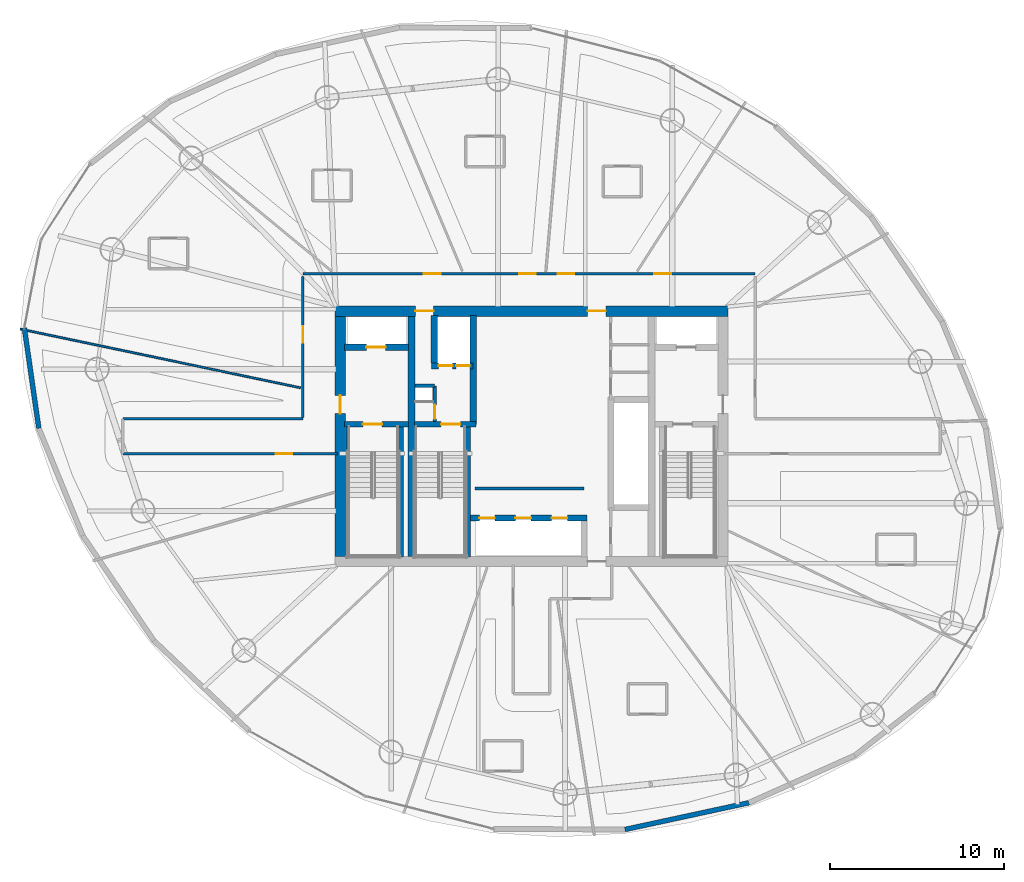
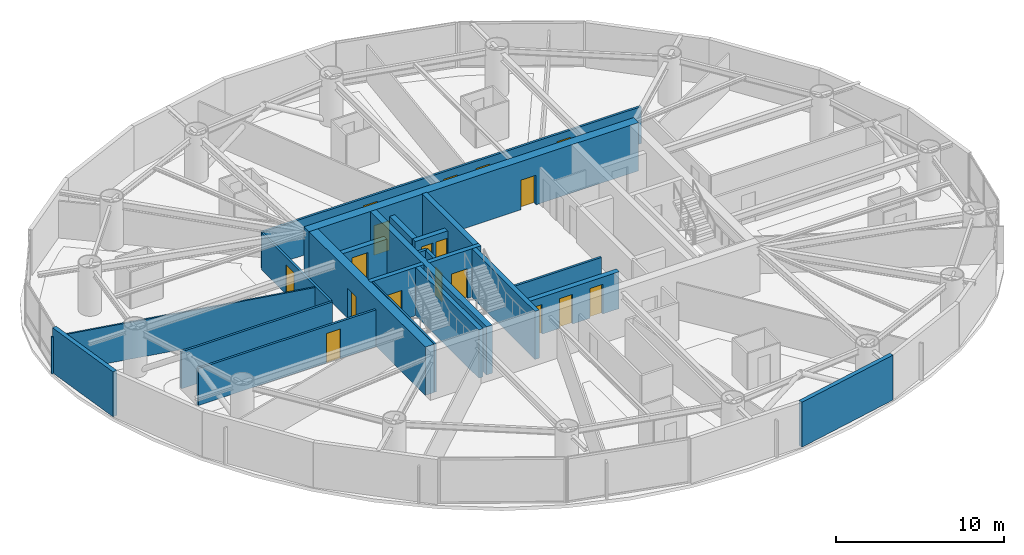
# One storey, part 16 of 22: 23 walls, 18 doors, 18 openings.
"""IFC4 building model written with IfcOpenShell, lengths in metres."""

from ifc_helpers import new_model, si_unit, direction, frame, frame_2d, origin, place, context, subcontext, project, spatial, rectangle, extrude, material, layer, layer_set, type_object, element, fill, save


model = new_model("IFC4")

# Units and contexts
model_context = context("Model", 3, precision=1e-05, world=origin(), true_north=direction((0.0, 1.0)))
body_context = subcontext(model_context, "Body", "Model", "MODEL_VIEW")
ifc_project = project(units=[si_unit("LENGTHUNIT", "METRE"), si_unit("AREAUNIT", "SQUARE_METRE"), si_unit("VOLUMEUNIT", "CUBIC_METRE"), si_unit("PLANEANGLEUNIT", "RADIAN"), si_unit("MASSUNIT", "GRAM", prefix="KILO")], contexts=[model_context])

# Site, building, storey
site_placement = place(None, origin())
site = spatial("IfcSite", under=ifc_project, at=site_placement, CompositionType="ELEMENT")
building_placement = place(site_placement, origin())
building = spatial("IfcBuilding", under=site, at=building_placement, Name="Bramvorn Convention Spire", CompositionType="ELEMENT")
storey_placement = place(building_placement, frame((0.0, 0.0, 120.300048828125)))
storey = spatial("IfcBuildingStorey", under=building, at=storey_placement, Name="L29", CompositionType="ELEMENT", Elevation=120.300048828125)

# Wall, openings, doors
ifc_material_1 = material(Name="Concrete C60/70", Category="concrete")
ifc_layer_1 = layer(ifc_material_1, 0.60009765625)
ifc_layer_set_1 = layer_set([ifc_layer_1], Name="Concrete C60/70 - WL-CORE-600")
wall_type_1 = type_object("IfcWallType", Name="WL-CORE-600", PredefinedType="SHEAR", material=ifc_layer_set_1)
wall_1_placement = place(storey_placement, frame((26.699951171875, 33.199951171875, 0.0), z_axis=(0.0, 0.0, 1.0), x_axis=(1.0, 0.0, 0.0)))
wall_1 = element("IfcWall", 1, at=wall_1_placement, inside=storey, type_object=wall_type_1, Name="L29 North RC core shear wall", PredefinedType="SHEAR", context=body_context, shape_type="SweptSolid", body=[
    extrude(rectangle(XDim=22.60009765625, YDim=0.60009765625, at=frame_2d((11.300048828125, 0.0))), origin(), (0.0, 0.0, 1.0), 3.5),
])
opening_1_placement = place(wall_1_placement, frame((4.6201171875, 0.0, 0.0)))
opening_1 = element("IfcOpeningElement", 2, at=opening_1_placement, cuts=wall_1, Name="Opening DL-105", PredefinedType="OPENING", context=body_context, shape_type="SweptSolid", body=[
    extrude(rectangle(XDim=1.050048828125, YDim=2.14990234375, at=frame_2d((0.52490234375, 1.074951171875))), frame((0.0, 0.31005859375, 0.0), z_axis=(0.0, -1.0, 0.0), x_axis=(1.0, 0.0, 0.0)), (0.0, 0.0, 1.0), 0.6201171875),
])
opening_2_placement = place(wall_1_placement, frame((14.52001953125, 0.0, 0.0)))
opening_2 = element("IfcOpeningElement", 3, at=opening_2_placement, cuts=wall_1, Name="Opening DL-105", PredefinedType="OPENING", context=body_context, shape_type="SweptSolid", body=[
    extrude(rectangle(XDim=1.050048828125, YDim=2.14990234375, at=frame_2d((0.52490234375, 1.074951171875))), frame((0.0, 0.31005859375, 0.0), z_axis=(0.0, -1.0, 0.0), x_axis=(1.0, 0.0, 0.0)), (0.0, 0.0, 1.0), 0.6201171875),
])
ifc_material_2 = material(Name="Smoke-Sealed Fire Lobby Timber-Core Door", Category="wood")
door_type_1 = type_object("IfcDoorType", Name="DR-LOBBY-1050", OperationType="NOTDEFINED", PredefinedType="DOOR", material=ifc_material_2)
door_1_placement = place(opening_1_placement, origin())
door_1 = element("IfcDoor", 4, at=door_1_placement, inside=storey, type_object=door_type_1, Name="L29 Service & Stair ST3 Lobby north corridor door", OperationType="SINGLE_SWING_LEFT", OverallHeight=2.14990234375, OverallWidth=1.050048828125, PredefinedType="DOOR", context=body_context, shape_type="SweptSolid", body=[
    extrude(rectangle(XDim=1.050048828125, YDim=2.14990234375, at=frame_2d((0.52490234375, 1.074951171875))), frame((0.0, 0.02490234375, 0.0), z_axis=(0.0, -1.0, 0.0), x_axis=(1.0, 0.0, 0.0)), (0.0, 0.0, 1.0), 0.050048828125),
])
fill(opening_1, door_1)
door_2_placement = place(opening_2_placement, origin())
door_2 = element("IfcDoor", 5, at=door_2_placement, inside=storey, type_object=door_type_1, Name="L29 North Lift Lobby fire door", OperationType="SINGLE_SWING_LEFT", OverallHeight=2.14990234375, OverallWidth=1.050048828125, PredefinedType="DOOR", context=body_context, shape_type="SweptSolid", body=[
    extrude(rectangle(XDim=1.050048828125, YDim=2.14990234375, at=frame_2d((0.52490234375, 1.074951171875))), frame((0.0, 0.02490234375, 0.0), z_axis=(0.0, -1.0, 0.0), x_axis=(1.0, 0.0, 0.0)), (0.0, 0.0, 1.0), 0.050048828125),
])
fill(opening_2, door_2)

# Wall, opening, door
wall_2_placement = place(storey_placement, frame((27.0, 19.10009765625, 0.0), z_axis=(0.0, 0.0, 1.0), x_axis=(0.0, 1.0, 0.0)))
wall_2 = element("IfcWall", 6, at=wall_2_placement, inside=storey, type_object=wall_type_1, Name="L29 West RC core shear wall", PredefinedType="SHEAR", context=body_context, shape_type="SweptSolid", body=[
    extrude(rectangle(XDim=13.7998046875, YDim=0.60009765625, at=frame_2d((6.89990234375, 0.0))), origin(), (0.0, 0.0, 1.0), 3.5),
])
opening_3_placement = place(wall_2_placement, frame((8.199951171875, 0.0, 0.0)))
opening_3 = element("IfcOpeningElement", 7, at=opening_3_placement, cuts=wall_2, Name="Opening DL-105", PredefinedType="OPENING", context=body_context, shape_type="SweptSolid", body=[
    extrude(rectangle(XDim=1.050048828125, YDim=2.14990234375, at=frame_2d((0.52490234375, 1.074951171875))), frame((0.0, 0.31005859375, 0.0), z_axis=(0.0, -1.0, 0.0), x_axis=(1.0, 0.0, 0.0)), (0.0, 0.0, 1.0), 0.6201171875),
])
door_3_placement = place(opening_3_placement, origin())
door_3 = element("IfcDoor", 8, at=door_3_placement, inside=storey, type_object=door_type_1, Name="L29 West Firefighting Lobby corridor door", OperationType="SINGLE_SWING_RIGHT", OverallHeight=2.14990234375, OverallWidth=1.050048828125, PredefinedType="DOOR", context=body_context, shape_type="SweptSolid", body=[
    extrude(rectangle(XDim=1.050048828125, YDim=2.14990234375, at=frame_2d((0.52490234375, 1.074951171875))), frame((0.0, 0.02490234375, 0.0), z_axis=(0.0, -1.0, 0.0), x_axis=(1.0, 0.0, 0.0)), (0.0, 0.0, 1.0), 0.050048828125),
])
fill(opening_3, door_3)

ifc_material_3 = material(Name="Concrete C50/60", Category="concrete")
ifc_layer_2 = layer(ifc_material_3, 0.35009765625)
ifc_layer_set_2 = layer_set([ifc_layer_2], Name="Concrete C50/60 - WL-CORE-INT-350")
wall_type_2 = type_object("IfcWallType", Name="WL-CORE-INT-350", PredefinedType="SHEAR", material=ifc_layer_set_2)
wall_3_placement = place(storey_placement, frame((27.25, 31.1201171875, 0.0), z_axis=(0.0, 0.0, 1.0), x_axis=(1.0, 0.0, 0.0)))
wall_3 = element("IfcWall", 9, at=wall_3_placement, inside=storey, type_object=wall_type_2, Name="L29 FE1 shaft front wall", PredefinedType="SHEAR", context=body_context, shape_type="SweptSolid", body=[
    extrude(rectangle(XDim=3.669921875, YDim=0.35009765625, at=frame_2d((1.8349609375, 0.0))), origin(), (0.0, 0.0, 1.0), 2.675048828125),
])
opening_4_placement = place(wall_3_placement, frame((1.25, 0.0, 0.0)))
opening_4 = element("IfcOpeningElement", 10, at=opening_4_placement, cuts=wall_3, Name="Opening LD-110", PredefinedType="OPENING", context=body_context, shape_type="SweptSolid", body=[
    extrude(rectangle(XDim=1.10009765625, YDim=2.14990234375, at=frame_2d((0.550048828125, 1.074951171875))), frame((0.0, 0.18505859375, 0.0), z_axis=(0.0, -1.0, 0.0), x_axis=(1.0, 0.0, 0.0)), (0.0, 0.0, 1.0), 0.3701171875),
])
ifc_material_4 = material(Name="Firefighting & Service Lift Sliding Landing Door", Category="steel")
door_type_2 = type_object("IfcDoorType", Name="DR-LIFT-LD-1100", OperationType="NOTDEFINED", PredefinedType="DOOR", material=ifc_material_4)
door_4_placement = place(opening_4_placement, origin())
door_4 = element("IfcDoor", 11, at=door_4_placement, inside=storey, type_object=door_type_2, Name="L29 Lift FE1 Sliding Landing Door", OperationType="SLIDING_TO_LEFT", OverallHeight=2.14990234375, OverallWidth=1.10009765625, PredefinedType="DOOR", context=body_context, shape_type="SweptSolid", body=[
    extrude(rectangle(XDim=1.10009765625, YDim=2.14990234375, at=frame_2d((0.550048828125, 1.074951171875))), frame((0.0, 0.02490234375, 0.0), z_axis=(0.0, -1.0, 0.0), x_axis=(1.0, 0.0, 0.0)), (0.0, 0.0, 1.0), 0.050048828125),
])
fill(opening_4, door_4)

# Wall
wall_4_placement = place(storey_placement, frame((34.639892578125, 26.68994140625, 0.0), z_axis=(0.0, 0.0, 1.0), x_axis=(0.0, 1.0, 0.0)))
element("IfcWall", 12, at=wall_4_placement, inside=storey, type_object=wall_type_2, Name="L29 SV east core shaft wall", PredefinedType="SHEAR", context=body_context, shape_type="SweptSolid", body=[
    extrude(rectangle(XDim=6.260009765625, YDim=0.35009765625, at=frame_2d((3.1298828125, 0.0))), origin(), (0.0, 0.0, 1.0), 3.5),
])

# Wall, openings, doors
wall_5_placement = place(storey_placement, frame((32.22998046875, 30.050048828125, 0.0), z_axis=(0.0, 0.0, 1.0), x_axis=(1.0, 0.0, 0.0)))
wall_5 = element("IfcWall", 13, at=wall_5_placement, inside=storey, type_object=wall_type_2, Name="L29 SV1/SV2 shaft front wall", PredefinedType="SHEAR", context=body_context, shape_type="SweptSolid", body=[
    extrude(rectangle(XDim=2.409912109375, YDim=0.35009765625, at=frame_2d((1.205078125, 0.0))), origin(), (0.0, 0.0, 1.0), 2.675048828125),
])
opening_5_placement = place(wall_5_placement, frame((0.419921875, 0.0, 0.0)))
opening_5 = element("IfcOpeningElement", 14, at=opening_5_placement, cuts=wall_5, Name="Opening LD-080", PredefinedType="OPENING", context=body_context, shape_type="SweptSolid", body=[
    extrude(rectangle(XDim=0.800048828125, YDim=2.14990234375, at=frame_2d((0.39990234375, 1.074951171875))), frame((0.0, 0.18505859375, 0.0), z_axis=(0.0, -1.0, 0.0), x_axis=(1.0, 0.0, 0.0)), (0.0, 0.0, 1.0), 0.3701171875),
])
opening_6_placement = place(wall_5_placement, frame((1.419921875, 0.0, 0.0)))
opening_6 = element("IfcOpeningElement", 15, at=opening_6_placement, cuts=wall_5, Name="Opening LD-080", PredefinedType="OPENING", context=body_context, shape_type="SweptSolid", body=[
    extrude(rectangle(XDim=0.800048828125, YDim=2.14990234375, at=frame_2d((0.39990234375, 1.074951171875))), frame((0.0, 0.18505859375, 0.0), z_axis=(0.0, -1.0, 0.0), x_axis=(1.0, 0.0, 0.0)), (0.0, 0.0, 1.0), 0.3701171875),
])
ifc_material_5 = material(Name="Service Lift Bi-Parting Landing Door", Category="steel")
door_type_3 = type_object("IfcDoorType", Name="DR-LIFT-LD-800", OperationType="NOTDEFINED", PredefinedType="DOOR", material=ifc_material_5)
door_5_placement = place(opening_5_placement, origin())
door_5 = element("IfcDoor", 16, at=door_5_placement, inside=storey, type_object=door_type_3, Name="L29 Lift SV1 Sliding Landing Door", OperationType="SLIDING_TO_LEFT", OverallHeight=2.14990234375, OverallWidth=0.800048828125, PredefinedType="DOOR", context=body_context, shape_type="SweptSolid", body=[
    extrude(rectangle(XDim=0.800048828125, YDim=2.14990234375, at=frame_2d((0.39990234375, 1.074951171875))), frame((0.0, 0.02490234375, 0.0), z_axis=(0.0, -1.0, 0.0), x_axis=(1.0, 0.0, 0.0)), (0.0, 0.0, 1.0), 0.050048828125),
])
fill(opening_5, door_5)
door_6_placement = place(opening_6_placement, origin())
door_6 = element("IfcDoor", 17, at=door_6_placement, inside=storey, type_object=door_type_3, Name="L29 Lift SV2 Sliding Landing Door", OperationType="SLIDING_TO_LEFT", OverallHeight=2.14990234375, OverallWidth=0.800048828125, PredefinedType="DOOR", context=body_context, shape_type="SweptSolid", body=[
    extrude(rectangle(XDim=0.800048828125, YDim=2.14990234375, at=frame_2d((0.39990234375, 1.074951171875))), frame((0.0, 0.02490234375, 0.0), z_axis=(0.0, -1.0, 0.0), x_axis=(1.0, 0.0, 0.0)), (0.0, 0.0, 1.0), 0.050048828125),
])
fill(opening_6, door_6)

# Wall
wall_6_placement = place(storey_placement, frame((32.39990234375, 30.219970703125, 0.0), z_axis=(0.0, 0.0, 1.0), x_axis=(0.0, 1.0, 0.0)))
element("IfcWall", 18, at=wall_6_placement, inside=storey, type_object=wall_type_2, Name="L29 SV1 west hoistway wall", PredefinedType="SHEAR", context=body_context, shape_type="SweptSolid", body=[
    extrude(rectangle(XDim=2.72998046875, YDim=0.35009765625, at=frame_2d((1.364990234375, 0.0))), origin(), (0.0, 0.0, 1.0), 2.675048828125),
])

# Wall, openings, doors
wall_7_placement = place(storey_placement, frame((34.489990234375, 21.300048828125, 0.0), z_axis=(0.0, 0.0, 1.0), x_axis=(1.0, 0.0, 0.0)))
wall_7 = element("IfcWall", 19, at=wall_7_placement, inside=storey, type_object=wall_type_2, Name="L29 Mid-rise bank north landing wall", PredefinedType="SHEAR", context=body_context, shape_type="SweptSolid", body=[
    extrude(rectangle(XDim=6.679931640625, YDim=0.35009765625, at=frame_2d((3.33984375, 0.0))), origin(), (0.0, 0.0, 1.0), 2.675048828125),
])
opening_7_placement = place(wall_7_placement, frame((0.5, 0.0, 0.0)))
opening_7 = element("IfcOpeningElement", 20, at=opening_7_placement, cuts=wall_7, Name="Opening LD-090", PredefinedType="OPENING", context=body_context, shape_type="SweptSolid", body=[
    extrude(rectangle(XDim=0.89990234375, YDim=2.14990234375, at=frame_2d((0.449951171875, 1.074951171875))), frame((0.0, 0.18505859375, 0.0), z_axis=(0.0, -1.0, 0.0), x_axis=(1.0, 0.0, 0.0)), (0.0, 0.0, 1.0), 0.3701171875),
])
opening_8_placement = place(wall_7_placement, frame((2.580078125, 0.0, 0.0)))
opening_8 = element("IfcOpeningElement", 21, at=opening_8_placement, cuts=wall_7, Name="Opening LD-090", PredefinedType="OPENING", context=body_context, shape_type="SweptSolid", body=[
    extrude(rectangle(XDim=0.89990234375, YDim=2.14990234375, at=frame_2d((0.449951171875, 1.074951171875))), frame((0.0, 0.18505859375, 0.0), z_axis=(0.0, -1.0, 0.0), x_axis=(1.0, 0.0, 0.0)), (0.0, 0.0, 1.0), 0.3701171875),
])
opening_9_placement = place(wall_7_placement, frame((4.659912109375, 0.0, 0.0)))
opening_9 = element("IfcOpeningElement", 22, at=opening_9_placement, cuts=wall_7, Name="Opening LD-090", PredefinedType="OPENING", context=body_context, shape_type="SweptSolid", body=[
    extrude(rectangle(XDim=0.89990234375, YDim=2.14990234375, at=frame_2d((0.449951171875, 1.074951171875))), frame((0.0, 0.18505859375, 0.0), z_axis=(0.0, -1.0, 0.0), x_axis=(1.0, 0.0, 0.0)), (0.0, 0.0, 1.0), 0.3701171875),
])
ifc_material_6 = material(Name="Bi-Parting Fire-Rated Lift Landing Door", Category="steel")
door_type_4 = type_object("IfcDoorType", Name="DR-LIFT-LD-900", OperationType="NOTDEFINED", PredefinedType="DOOR", material=ifc_material_6)
door_7_placement = place(opening_7_placement, origin())
door_7 = element("IfcDoor", 23, at=door_7_placement, inside=storey, type_object=door_type_4, Name="L29 Lift PM1 Sliding Landing Door", OperationType="SLIDING_TO_LEFT", OverallHeight=2.14990234375, OverallWidth=0.89990234375, PredefinedType="DOOR", context=body_context, shape_type="SweptSolid", body=[
    extrude(rectangle(XDim=0.89990234375, YDim=2.14990234375, at=frame_2d((0.449951171875, 1.074951171875))), frame((0.0, 0.02490234375, 0.0), z_axis=(0.0, -1.0, 0.0), x_axis=(1.0, 0.0, 0.0)), (0.0, 0.0, 1.0), 0.050048828125),
])
fill(opening_7, door_7)
door_8_placement = place(opening_8_placement, origin())
door_8 = element("IfcDoor", 24, at=door_8_placement, inside=storey, type_object=door_type_4, Name="L29 Lift PM2 Sliding Landing Door", OperationType="SLIDING_TO_LEFT", OverallHeight=2.14990234375, OverallWidth=0.89990234375, PredefinedType="DOOR", context=body_context, shape_type="SweptSolid", body=[
    extrude(rectangle(XDim=0.89990234375, YDim=2.14990234375, at=frame_2d((0.449951171875, 1.074951171875))), frame((0.0, 0.02490234375, 0.0), z_axis=(0.0, -1.0, 0.0), x_axis=(1.0, 0.0, 0.0)), (0.0, 0.0, 1.0), 0.050048828125),
])
fill(opening_8, door_8)
door_9_placement = place(opening_9_placement, origin())
door_9 = element("IfcDoor", 25, at=door_9_placement, inside=storey, type_object=door_type_4, Name="L29 Lift PM3 Sliding Landing Door", OperationType="SLIDING_TO_LEFT", OverallHeight=2.14990234375, OverallWidth=0.89990234375, PredefinedType="DOOR", context=body_context, shape_type="SweptSolid", body=[
    extrude(rectangle(XDim=0.89990234375, YDim=2.14990234375, at=frame_2d((0.449951171875, 1.074951171875))), frame((0.0, 0.02490234375, 0.0), z_axis=(0.0, -1.0, 0.0), x_axis=(1.0, 0.0, 0.0)), (0.0, 0.0, 1.0), 0.050048828125),
])
fill(opening_9, door_9)

# Walls
ifc_layer_3 = layer(ifc_material_1, 0.39990234375)
ifc_layer_set_3 = layer_set([ifc_layer_3], Name="Concrete C60/70 - WL-CORE-INT-400")
wall_type_3 = type_object("IfcWallType", Name="WL-CORE-INT-400", PredefinedType="SHEAR", material=ifc_layer_set_3)
wall_8_placement = place(storey_placement, frame((31.10009765625, 19.10009765625, 0.0), z_axis=(0.0, 0.0, 1.0), x_axis=(0.0, 1.0, 0.0)))
element("IfcWall", 26, at=wall_8_placement, inside=storey, type_object=wall_type_3, Name="L29 West internal core shear web", PredefinedType="SHEAR", context=body_context, shape_type="SweptSolid", body=[
    extrude(rectangle(XDim=13.7998046875, YDim=0.39990234375, at=frame_2d((6.89990234375, 0.0))), origin(), (0.0, 0.0, 1.0), 3.5),
])
ifc_material_7 = material(Name="Precast Concrete C40/50 with Bronze Terracotta Rainscreen", Category="masonry")
ifc_layer_4 = layer(ifc_material_7, 0.300048828125)
ifc_layer_set_4 = layer_set([ifc_layer_4], Name="Precast Concrete C40/50 with Bronze Terracotta Rainscreen - WL-EXT-BRONZE-300")
wall_type_4 = type_object("IfcWallType", Name="WL-EXT-BRONZE-300", PredefinedType="SOLIDWALL", material=ifc_layer_set_4)
wall_9_placement = place(storey_placement, frame((9.6650390625, 26.460205078125, 0.0), z_axis=(0.0, 0.0, 1.0), x_axis=(-0.142471997075, 0.989798833122, 0.0)))
element("IfcWall", 27, at=wall_9_placement, inside=storey, type_object=wall_type_4, Name="L29 expressed bronze Gothic lancet pier wall 14", PredefinedType="SOLIDWALL", context=body_context, shape_type="SweptSolid", body=[
    extrude(rectangle(XDim=5.82275390625, YDim=0.280029296875, at=frame_2d((2.911376953125, 0.0))), origin(), (0.0, 0.0, 1.0), 3.260009765625),
])
wall_10_placement = place(storey_placement, frame((50.48974609375, 4.932373046875, 0.0), z_axis=(0.0, 0.0, 1.0), x_axis=(-0.97750155667, -0.210928202734, 0.0)))
element("IfcWall", 28, at=wall_10_placement, inside=storey, type_object=wall_type_4, Name="L29 expressed bronze Gothic lancet pier wall 21", PredefinedType="SOLIDWALL", context=body_context, shape_type="SweptSolid", body=[
    extrude(rectangle(XDim=7.2919921875, YDim=0.280029296875, at=frame_2d((3.64599609375, 0.0))), origin(), (0.0, 0.0, 1.0), 3.260009765625),
])
ifc_material_8 = material(Name="Lightweight En-Suite & Wet-Wall Partition", Category="gypsum")
ifc_layer_5 = layer(ifc_material_8, 0.110107421875)
ifc_layer_set_5 = layer_set([ifc_layer_5], Name="Lightweight En-Suite & Wet-Wall Partition - WL-PART-110")
wall_type_5 = type_object("IfcWallType", Name="WL-PART-110", PredefinedType="PARTITIONING", material=ifc_layer_set_5)
wall_11_placement = place(storey_placement, frame((24.7099609375, 28.78759765625, 0.0), z_axis=(0.0, 0.0, 1.0), x_axis=(-0.978701960767, 0.205286317105, 0.0)))
element("IfcWall", 29, at=wall_11_placement, inside=storey, type_object=wall_type_5, Name="L29 Guestroom demising wall 7", PredefinedType="PARTITIONING", context=body_context, shape_type="SweptSolid", body=[
    extrude(rectangle(XDim=16.46533203125, YDim=0.110107421875, at=frame_2d((8.232666015625, 0.0))), origin(), (0.0, 0.0, 1.0), 2.675048828125),
])
ifc_material_9 = material(Name="Acoustic Metal-Stud Tenant/Corridor Partition", Category="gypsum")
ifc_layer_6 = layer(ifc_material_9, 0.14990234375)
ifc_layer_set_6 = layer_set([ifc_layer_6], Name="Acoustic Metal-Stud Tenant/Corridor Partition - WL-PART-150")
wall_type_6 = type_object("IfcWallType", Name="WL-PART-150", PredefinedType="PARTITIONING", material=ifc_layer_set_6)
wall_12_placement = place(storey_placement, frame((34.75, 23.0, 0.0), z_axis=(0.0, 0.0, 1.0), x_axis=(1.0, 0.0, 0.0)))
element("IfcWall", 30, at=wall_12_placement, inside=storey, type_object=wall_type_6, Name="L29 Mid-rise lift vestibule north wall", PredefinedType="PARTITIONING", context=body_context, shape_type="SweptSolid", body=[
    extrude(rectangle(XDim=6.25, YDim=0.14990234375, at=frame_2d((3.125, 0.0))), origin(), (0.0, 0.0, 1.0), 2.675048828125),
])

# Wall, openings, doors
wall_13_placement = place(storey_placement, frame((24.85009765625, 35.35009765625, 0.0), z_axis=(0.0, 0.0, 1.0), x_axis=(1.0, 0.0, 0.0)))
wall_13 = element("IfcWall", 31, at=wall_13_placement, inside=storey, type_object=wall_type_6, Name="L29 North gallery wall", PredefinedType="PARTITIONING", context=body_context, shape_type="SweptSolid", body=[
    extrude(rectangle(XDim=26.0, YDim=0.14990234375, at=frame_2d((13.0, 0.0))), origin(), (0.0, 0.0, 1.0), 2.675048828125),
])
opening_10_placement = place(wall_13_placement, frame((20.210205078125, 0.0, 0.0)))
opening_10 = element("IfcOpeningElement", 32, at=opening_10_placement, cuts=wall_13, Name="Opening DH-095", PredefinedType="OPENING", context=body_context, shape_type="SweptSolid", body=[
    extrude(rectangle(XDim=0.949951171875, YDim=2.14990234375, at=frame_2d((0.47509765625, 1.074951171875))), frame((0.0, 0.0849609375, 0.0), z_axis=(0.0, -1.0, 0.0), x_axis=(1.0, 0.0, 0.0)), (0.0, 0.0, 1.0), 0.169921875),
])
opening_11_placement = place(wall_13_placement, frame((14.6552734375, 0.0, 0.0)))
opening_11 = element("IfcOpeningElement", 33, at=opening_11_placement, cuts=wall_13, Name="Opening DH-095", PredefinedType="OPENING", context=body_context, shape_type="SweptSolid", body=[
    extrude(rectangle(XDim=0.949951171875, YDim=2.14990234375, at=frame_2d((0.47509765625, 1.074951171875))), frame((0.0, 0.0849609375, 0.0), z_axis=(0.0, -1.0, 0.0), x_axis=(1.0, 0.0, 0.0)), (0.0, 0.0, 1.0), 0.169921875),
])
opening_12_placement = place(wall_13_placement, frame((12.44140625, 0.0, 0.0)))
opening_12 = element("IfcOpeningElement", 34, at=opening_12_placement, cuts=wall_13, Name="Opening DH-095", PredefinedType="OPENING", context=body_context, shape_type="SweptSolid", body=[
    extrude(rectangle(XDim=0.949951171875, YDim=2.14990234375, at=frame_2d((0.47509765625, 1.074951171875))), frame((0.0, 0.0849609375, 0.0), z_axis=(0.0, -1.0, 0.0), x_axis=(1.0, 0.0, 0.0)), (0.0, 0.0, 1.0), 0.169921875),
])
opening_13_placement = place(wall_13_placement, frame((6.958984375, 0.0, 0.0)))
opening_13 = element("IfcOpeningElement", 35, at=opening_13_placement, cuts=wall_13, Name="Opening DH-095", PredefinedType="OPENING", context=body_context, shape_type="SweptSolid", body=[
    extrude(rectangle(XDim=0.949951171875, YDim=2.14990234375, at=frame_2d((0.47509765625, 1.074951171875))), frame((0.0, 0.0849609375, 0.0), z_axis=(0.0, -1.0, 0.0), x_axis=(1.0, 0.0, 0.0)), (0.0, 0.0, 1.0), 0.169921875),
])
ifc_material_10 = material(Name="Solid-Core Acoustic Guestroom Entry Door", Category="wood")
door_type_5 = type_object("IfcDoorType", Name="DR-HOTEL-950", OperationType="NOTDEFINED", PredefinedType="DOOR", material=ifc_material_10)
door_10_placement = place(opening_10_placement, origin())
door_10 = element("IfcDoor", 36, at=door_10_placement, inside=storey, type_object=door_type_5, Name="L29 Hospitality Lounge 2 door", OperationType="SINGLE_SWING_LEFT", OverallHeight=2.14990234375, OverallWidth=0.949951171875, PredefinedType="DOOR", context=body_context, shape_type="SweptSolid", body=[
    extrude(rectangle(XDim=0.949951171875, YDim=2.14990234375, at=frame_2d((0.47509765625, 1.074951171875))), frame((0.0, 0.02490234375, 0.0), z_axis=(0.0, -1.0, 0.0), x_axis=(1.0, 0.0, 0.0)), (0.0, 0.0, 1.0), 0.050048828125),
])
fill(opening_10, door_10)
door_11_placement = place(opening_11_placement, origin())
door_11 = element("IfcDoor", 37, at=door_11_placement, inside=storey, type_object=door_type_5, Name="Hotel Suite 2903 entry door", OperationType="SINGLE_SWING_LEFT", OverallHeight=2.14990234375, OverallWidth=0.949951171875, PredefinedType="DOOR", context=body_context, shape_type="SweptSolid", body=[
    extrude(rectangle(XDim=0.949951171875, YDim=2.14990234375, at=frame_2d((0.47509765625, 1.074951171875))), frame((0.0, 0.02490234375, 0.0), z_axis=(0.0, -1.0, 0.0), x_axis=(1.0, 0.0, 0.0)), (0.0, 0.0, 1.0), 0.050048828125),
])
fill(opening_11, door_11)
door_12_placement = place(opening_12_placement, origin())
door_12 = element("IfcDoor", 38, at=door_12_placement, inside=storey, type_object=door_type_5, Name="Hotel Suite 2904 entry door", OperationType="SINGLE_SWING_LEFT", OverallHeight=2.14990234375, OverallWidth=0.949951171875, PredefinedType="DOOR", context=body_context, shape_type="SweptSolid", body=[
    extrude(rectangle(XDim=0.949951171875, YDim=2.14990234375, at=frame_2d((0.47509765625, 1.074951171875))), frame((0.0, 0.02490234375, 0.0), z_axis=(0.0, -1.0, 0.0), x_axis=(1.0, 0.0, 0.0)), (0.0, 0.0, 1.0), 0.050048828125),
])
fill(opening_12, door_12)
door_13_placement = place(opening_13_placement, origin())
door_13 = element("IfcDoor", 39, at=door_13_placement, inside=storey, type_object=door_type_5, Name="Hotel Suite 2905 entry door", OperationType="SINGLE_SWING_RIGHT", OverallHeight=2.14990234375, OverallWidth=0.949951171875, PredefinedType="DOOR", context=body_context, shape_type="SweptSolid", body=[
    extrude(rectangle(XDim=0.949951171875, YDim=2.14990234375, at=frame_2d((0.47509765625, 1.074951171875))), frame((0.0, 0.02490234375, 0.0), z_axis=(0.0, -1.0, 0.0), x_axis=(1.0, 0.0, 0.0)), (0.0, 0.0, 1.0), 0.050048828125),
])
fill(opening_13, door_13)

# Wall, opening, door
wall_14_placement = place(storey_placement, frame((24.85009765625, 27.080078125, 0.0), z_axis=(0.0, 0.0, 1.0), x_axis=(0.0, 1.0, 0.0)))
wall_14 = element("IfcWall", 40, at=wall_14_placement, inside=storey, type_object=wall_type_6, Name="L29 NW gallery cheek", PredefinedType="PARTITIONING", context=body_context, shape_type="SweptSolid", body=[
    extrude(rectangle(XDim=8.119873046875, YDim=0.14990234375, at=frame_2d((4.06005859375, 0.0))), origin(), (0.0, 0.0, 1.0), 2.675048828125),
])
opening_14_placement = place(wall_14_placement, frame((4.288330078125, 0.0, 0.0)))
opening_14 = element("IfcOpeningElement", 41, at=opening_14_placement, cuts=wall_14, Name="Opening DH-095", PredefinedType="OPENING", context=body_context, shape_type="SweptSolid", body=[
    extrude(rectangle(XDim=0.949951171875, YDim=2.14990234375, at=frame_2d((0.47509765625, 1.074951171875))), frame((0.0, 0.0849609375, 0.0), z_axis=(0.0, -1.0, 0.0), x_axis=(1.0, 0.0, 0.0)), (0.0, 0.0, 1.0), 0.169921875),
])
door_14_placement = place(opening_14_placement, origin())
door_14 = element("IfcDoor", 42, at=door_14_placement, inside=storey, type_object=door_type_5, Name="Hotel Suite 2906 entry door", OperationType="SINGLE_SWING_RIGHT", OverallHeight=2.14990234375, OverallWidth=0.949951171875, PredefinedType="DOOR", context=body_context, shape_type="SweptSolid", body=[
    extrude(rectangle(XDim=0.949951171875, YDim=2.14990234375, at=frame_2d((0.47509765625, 1.074951171875))), frame((0.0, 0.02490234375, 0.0), z_axis=(0.0, -1.0, 0.0), x_axis=(1.0, 0.0, 0.0)), (0.0, 0.0, 1.0), 0.050048828125),
])
fill(opening_14, door_14)

# Wall
wall_15_placement = place(storey_placement, frame((14.5, 27.0, 0.0), z_axis=(0.0, 0.0, 1.0), x_axis=(1.0, 0.0, 0.0)))
element("IfcWall", 43, at=wall_15_placement, inside=storey, type_object=wall_type_6, Name="L29 West wing spine north wall", PredefinedType="PARTITIONING", context=body_context, shape_type="SweptSolid", body=[
    extrude(rectangle(XDim=10.35009765625, YDim=0.14990234375, at=frame_2d((5.175048828125, 0.0))), origin(), (0.0, 0.0, 1.0), 2.675048828125),
])

# Wall, opening, door
wall_16_placement = place(storey_placement, frame((14.5, 25.0, 0.0), z_axis=(0.0, 0.0, 1.0), x_axis=(1.0, 0.0, 0.0)))
wall_16 = element("IfcWall", 44, at=wall_16_placement, inside=storey, type_object=wall_type_6, Name="L29 West wing spine south wall", PredefinedType="PARTITIONING", context=body_context, shape_type="SweptSolid", body=[
    extrude(rectangle(XDim=12.35009765625, YDim=0.14990234375, at=frame_2d((6.175048828125, 0.0))), origin(), (0.0, 0.0, 1.0), 2.675048828125),
])
opening_15_placement = place(wall_16_placement, frame((8.78759765625, 0.0, 0.0)))
opening_15 = element("IfcOpeningElement", 45, at=opening_15_placement, cuts=wall_16, Name="Opening DH-095", PredefinedType="OPENING", context=body_context, shape_type="SweptSolid", body=[
    extrude(rectangle(XDim=0.949951171875, YDim=2.14990234375, at=frame_2d((0.47509765625, 1.074951171875))), frame((0.0, 0.0849609375, 0.0), z_axis=(0.0, -1.0, 0.0), x_axis=(1.0, 0.0, 0.0)), (0.0, 0.0, 1.0), 0.169921875),
])
door_15_placement = place(opening_15_placement, origin())
door_15 = element("IfcDoor", 46, at=door_15_placement, inside=storey, type_object=door_type_5, Name="Hotel Suite 2907 entry door", OperationType="SINGLE_SWING_RIGHT", OverallHeight=2.14990234375, OverallWidth=0.949951171875, PredefinedType="DOOR", context=body_context, shape_type="SweptSolid", body=[
    extrude(rectangle(XDim=0.949951171875, YDim=2.14990234375, at=frame_2d((0.47509765625, 1.074951171875))), frame((0.0, 0.02490234375, 0.0), z_axis=(0.0, -1.0, 0.0), x_axis=(1.0, 0.0, 0.0)), (0.0, 0.0, 1.0), 0.050048828125),
])
fill(opening_15, door_15)

ifc_material_11 = material(Name="Gypsum Shaftwall & Rockwool Core Partition", Category="gypsum")
ifc_layer_7 = layer(ifc_material_11, 0.199951171875)
ifc_layer_set_7 = layer_set([ifc_layer_7], Name="Gypsum Shaftwall & Rockwool Core Partition - WL-PART-200-FR")
wall_type_7 = type_object("IfcWallType", Name="WL-PART-200-FR", PredefinedType="PARTITIONING", material=ifc_layer_set_7)
wall_17_placement = place(storey_placement, frame((32.419921875, 26.860107421875, 0.0), z_axis=(0.0, 0.0, 1.0), x_axis=(0.0, 1.0, 0.0)))
wall_17 = element("IfcWall", 47, at=wall_17_placement, inside=storey, type_object=wall_type_7, Name="L29 Telecom riser east wall", PredefinedType="PARTITIONING", context=body_context, shape_type="SweptSolid", body=[
    extrude(rectangle(XDim=2.039794921875, YDim=0.199951171875, at=frame_2d((1.02001953125, 0.0))), origin(), (0.0, 0.0, 1.0), 2.675048828125),
])
opening_16_placement = place(wall_17_placement, frame((0.139892578125, 0.0, 0.0)))
opening_16 = element("IfcOpeningElement", 48, at=opening_16_placement, cuts=wall_17, Name="Opening DR-080", PredefinedType="OPENING", context=body_context, shape_type="SweptSolid", body=[
    extrude(rectangle(XDim=0.800048828125, YDim=2.050048828125, at=frame_2d((0.39990234375, 1.02490234375))), frame((0.0, 0.10986328125, 0.0), z_axis=(0.0, -1.0, 0.0), x_axis=(1.0, 0.0, 0.0)), (0.0, 0.0, 1.0), 0.219970703125),
])
ifc_material_12 = material(Name="Flush Steel Riser Access Door", Category="steel")
door_type_6 = type_object("IfcDoorType", Name="DR-RISER-800", OperationType="NOTDEFINED", PredefinedType="DOOR", material=ifc_material_12)
door_16_placement = place(opening_16_placement, origin())
door_16 = element("IfcDoor", 49, at=door_16_placement, inside=storey, type_object=door_type_6, Name="L29 Telecom riser access door", OperationType="SINGLE_SWING_RIGHT", OverallHeight=2.050048828125, OverallWidth=0.800048828125, PredefinedType="DOOR", context=body_context, shape_type="SweptSolid", body=[
    extrude(rectangle(XDim=0.800048828125, YDim=2.050048828125, at=frame_2d((0.39990234375, 1.02490234375))), frame((0.0, 0.02490234375, 0.0), z_axis=(0.0, -1.0, 0.0), x_axis=(1.0, 0.0, 0.0)), (0.0, 0.0, 1.0), 0.050048828125),
])
fill(opening_16, door_16)

# Wall
wall_18_placement = place(storey_placement, frame((31.300048828125, 28.89990234375, 0.0), z_axis=(0.0, 0.0, 1.0), x_axis=(1.0, 0.0, 0.0)))
element("IfcWall", 50, at=wall_18_placement, inside=storey, type_object=wall_type_7, Name="L29 Telecom riser north wall", PredefinedType="PARTITIONING", context=body_context, shape_type="SweptSolid", body=[
    extrude(rectangle(XDim=1.119873046875, YDim=0.199951171875, at=frame_2d((0.56005859375, 0.0))), origin(), (0.0, 0.0, 1.0), 2.675048828125),
])

# Wall, opening, door
ifc_layer_8 = layer(ifc_material_3, 0.300048828125)
ifc_layer_set_8 = layer_set([ifc_layer_8], Name="Concrete C50/60 - WL-POD-STAIR-300")
wall_type_8 = type_object("IfcWallType", Name="WL-POD-STAIR-300", PredefinedType="SHEAR", material=ifc_layer_set_8)
wall_19_placement = place(storey_placement, frame((27.25, 26.68994140625, 0.0), z_axis=(0.0, 0.0, 1.0), x_axis=(1.0, 0.0, 0.0)))
wall_19 = element("IfcWall", 51, at=wall_19_placement, inside=storey, type_object=wall_type_8, Name="L29 ST1 north fire wall", PredefinedType="SHEAR", context=body_context, shape_type="SweptSolid", body=[
    extrude(rectangle(XDim=3.669921875, YDim=0.300048828125, at=frame_2d((1.8349609375, 0.0))), origin(), (0.0, 0.0, 1.0), 3.5),
])
opening_17_placement = place(wall_19_placement, frame((1.050048828125, 0.0, 0.0)))
opening_17 = element("IfcOpeningElement", 52, at=opening_17_placement, cuts=wall_19, Name="Opening DS-110", PredefinedType="OPENING", context=body_context, shape_type="SweptSolid", body=[
    extrude(rectangle(XDim=1.10009765625, YDim=2.14990234375, at=frame_2d((0.550048828125, 1.074951171875))), frame((0.0, 0.159912109375, 0.0), z_axis=(0.0, -1.0, 0.0), x_axis=(1.0, 0.0, 0.0)), (0.0, 0.0, 1.0), 0.320068359375),
])
ifc_material_13 = material(Name="Fire-Rated Hollow Steel Stairwell Door", Category="steel")
door_type_7 = type_object("IfcDoorType", Name="DR-STAIR-1100", OperationType="NOTDEFINED", PredefinedType="DOOR", material=ifc_material_13)
door_17_placement = place(opening_17_placement, origin())
door_17 = element("IfcDoor", 53, at=door_17_placement, inside=storey, type_object=door_type_7, Name="L29 Stair ST1 fire door", OperationType="SINGLE_SWING_LEFT", OverallHeight=2.14990234375, OverallWidth=1.10009765625, PredefinedType="DOOR", context=body_context, shape_type="SweptSolid", body=[
    extrude(rectangle(XDim=1.10009765625, YDim=2.14990234375, at=frame_2d((0.550048828125, 1.074951171875))), frame((0.0, 0.02490234375, 0.0), z_axis=(0.0, -1.0, 0.0), x_axis=(1.0, 0.0, 0.0)), (0.0, 0.0, 1.0), 0.050048828125),
])
fill(opening_17, door_17)

# Walls
for number, where, z_axis, x_axis, name in (
    (54, (30.489990234375, 19.050048828125, 0.0), (0.0, 0.0, 1.0), (0.0, 1.0, 0.0), "L29 ST1 east bearing wall"),
    (55, (34.340087890625, 19.050048828125, 0.0), (0.0, 0.0, 1.0), (0.0, 1.0, 0.0), "L29 ST3 east bearing wall"),
):
    element("IfcWall", number, at=place(storey_placement, frame(where, z_axis=z_axis, x_axis=x_axis)), inside=storey, type_object=wall_type_8, Name=name, PredefinedType="SHEAR", context=body_context, shape_type="SweptSolid", body=[
        extrude(rectangle(XDim=7.5, YDim=0.300048828125, at=frame_2d((3.75, 0.0))), origin(), (0.0, 0.0, 1.0), 3.5),
    ])

# Wall, opening, door
wall_20_placement = place(storey_placement, frame((31.25, 26.68994140625, 0.0), z_axis=(0.0, 0.0, 1.0), x_axis=(1.0, 0.0, 0.0)))
wall_20 = element("IfcWall", 56, at=wall_20_placement, inside=storey, type_object=wall_type_8, Name="L29 ST3 north lobby wall", PredefinedType="SHEAR", context=body_context, shape_type="SweptSolid", body=[
    extrude(rectangle(XDim=3.56005859375, YDim=0.300048828125, at=frame_2d((1.780029296875, 0.0))), origin(), (0.0, 0.0, 1.0), 3.5),
])
opening_18_placement = place(wall_20_placement, frame((1.550048828125, 0.0, 0.0)))
opening_18 = element("IfcOpeningElement", 57, at=opening_18_placement, cuts=wall_20, Name="Opening DS-110", PredefinedType="OPENING", context=body_context, shape_type="SweptSolid", body=[
    extrude(rectangle(XDim=1.10009765625, YDim=2.14990234375, at=frame_2d((0.550048828125, 1.074951171875))), frame((0.0, 0.159912109375, 0.0), z_axis=(0.0, -1.0, 0.0), x_axis=(1.0, 0.0, 0.0)), (0.0, 0.0, 1.0), 0.320068359375),
])
door_18_placement = place(opening_18_placement, origin())
door_18 = element("IfcDoor", 58, at=door_18_placement, inside=storey, type_object=door_type_7, Name="L29 Stair ST3 fire door", OperationType="SINGLE_SWING_LEFT", OverallHeight=2.14990234375, OverallWidth=1.10009765625, PredefinedType="DOOR", context=body_context, shape_type="SweptSolid", body=[
    extrude(rectangle(XDim=1.10009765625, YDim=2.14990234375, at=frame_2d((0.550048828125, 1.074951171875))), frame((0.0, 0.02490234375, 0.0), z_axis=(0.0, -1.0, 0.0), x_axis=(1.0, 0.0, 0.0)), (0.0, 0.0, 1.0), 0.050048828125),
])
fill(opening_18, door_18)

# Wall
ifc_layer_9 = layer(ifc_material_3, 0.1201171875)
ifc_layer_set_9 = layer_set([ifc_layer_9], Name="Concrete C50/60 - WL-STAIR-RC-120")
wall_type_9 = type_object("IfcWallType", Name="WL-STAIR-RC-120", PredefinedType="SHEAR", material=ifc_layer_set_9)
wall_21_placement = place(storey_placement, frame((27.39501953125, 19.10009765625, 0.0), z_axis=(0.0, 0.0, 1.0), x_axis=(0.0, 1.0, 0.0)))
element("IfcWall", 59, at=wall_21_placement, inside=storey, type_object=wall_type_9, Name="L29 ST1 west bearing shear wall", PredefinedType="SHEAR", context=body_context, shape_type="SweptSolid", body=[
    extrude(rectangle(XDim=7.449951171875, YDim=0.1201171875, at=frame_2d((3.72509765625, 0.0))), origin(), (0.0, 0.0, 1.0), 3.5),
])

save(model, "model.ifc")
